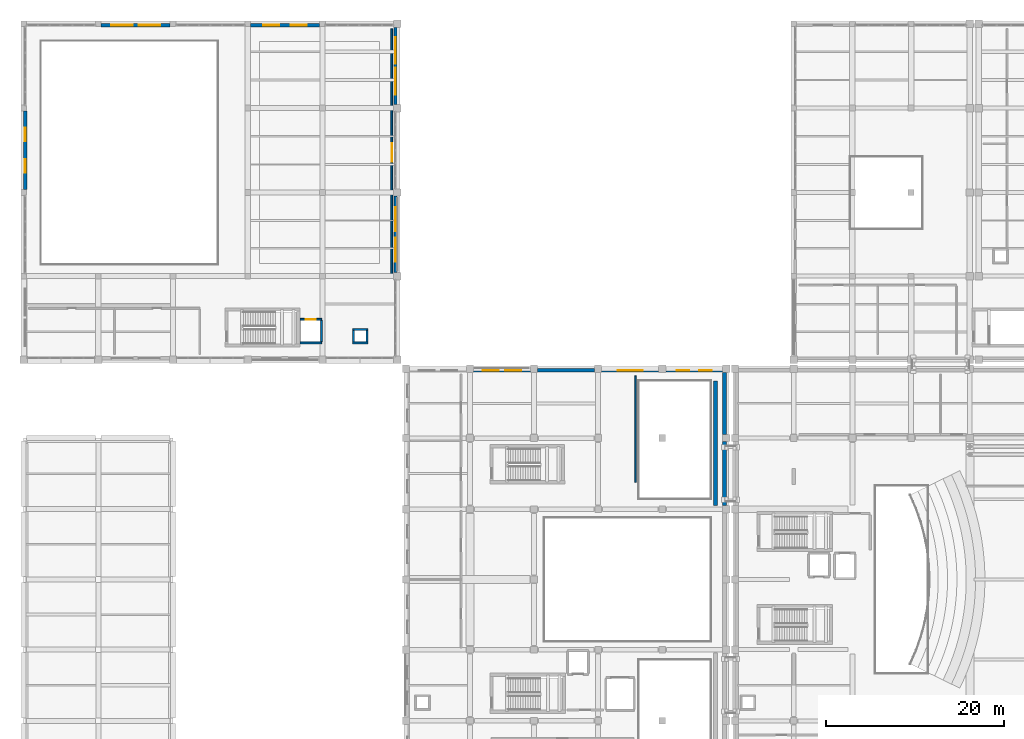
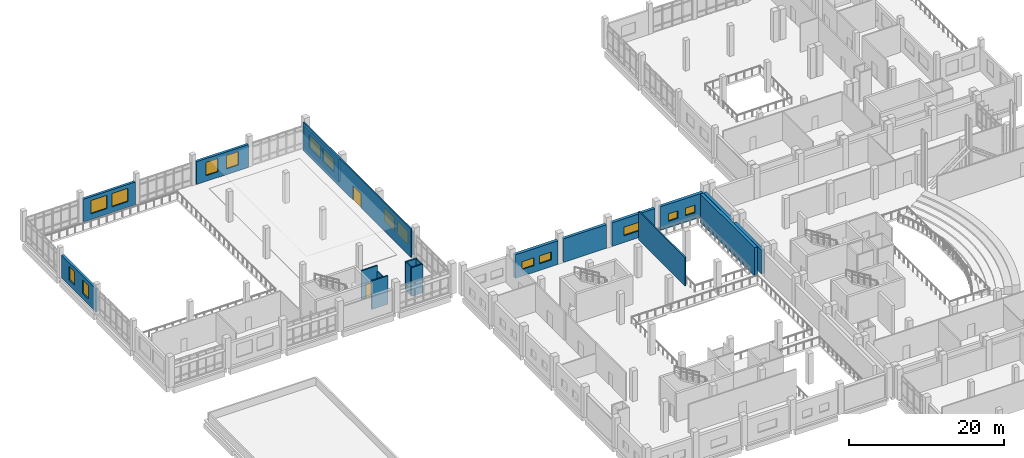
# One storey, part 54 of 73: 21 walls, 15 windows, 2 doors, 17 openings.
"""IFC4 building model written with IfcOpenShell, lengths in metres."""

from ifc_helpers import new_model, si_unit, direction, frame, frame_2d, origin, place, context, subcontext, project, spatial, rectangle, extrude, material, layer, layer_set, type_object, element, fill, save


model = new_model("IFC4")

# Units and contexts
model_context = context("Model", 3, precision=1e-05, world=origin(), true_north=direction((0.0, 1.0)))
body_context = subcontext(model_context, "Body", "Model", "MODEL_VIEW")
ifc_project = project(units=[si_unit("LENGTHUNIT", "METRE"), si_unit("AREAUNIT", "SQUARE_METRE"), si_unit("VOLUMEUNIT", "CUBIC_METRE"), si_unit("PLANEANGLEUNIT", "RADIAN"), si_unit("MASSUNIT", "GRAM", prefix="KILO")], contexts=[model_context])

# Site, building, storey
site_placement = place(None, origin())
site = spatial("IfcSite", under=ifc_project, at=site_placement, CompositionType="ELEMENT")
building_placement = place(site_placement, origin())
building = spatial("IfcBuilding", under=site, at=building_placement, Name="Kelarvand Opera House", CompositionType="ELEMENT")
storey_placement = place(building_placement, frame((0.0, 0.0, 10.199951171875)))
storey = spatial("IfcBuildingStorey", under=building, at=storey_placement, Name="L02", CompositionType="ELEMENT", Elevation=10.199951171875)

# Wall
ifc_material_1 = material(Name="Concrete C40/50", Category="concrete")
ifc_layer_1 = layer(ifc_material_1, 0.449951171875, Name="Concrete C40/50", Category="concrete")
ifc_layer_set_1 = layer_set([ifc_layer_1], Name="Concrete C40/50")
wall_type_1 = type_object("IfcWallType", Name="Acoustic Proscenium Shear Wall 450", PredefinedType="SHEAR", material=ifc_layer_set_1)
wall_1_placement = place(storey_placement, frame((86.800048828125, 70.800048828125, 0.0), z_axis=(0.0, 0.0, 1.0), x_axis=(0.0, 1.0, 0.0)))
element("IfcWall", 1, at=wall_1_placement, inside=storey, type_object=wall_type_1, Name="V2 Shear Wall PW-120 L02", PredefinedType="SHEAR", context=body_context, shape_type="SweptSolid", body=[
    extrude(rectangle(XDim=14.0, YDim=0.449951171875, at=frame_2d((7.0, 0.0))), origin(), (0.0, 0.0, 1.0), 4.47998046875),
])

# Wall, openings, windows
ifc_material_2 = material(Name="Concrete C35/45", Category="concrete")
ifc_layer_2 = layer(ifc_material_2, 0.360107421875, Name="Concrete C35/45", Category="concrete")
ifc_layer_set_2 = layer_set([ifc_layer_2], Name="Concrete C35/45")
wall_type_2 = type_object("IfcWallType", Name="Azarshahr Travertine Cavity Wall 360", PredefinedType="SOLIDWALL", material=ifc_layer_set_2)
wall_2_placement = place(storey_placement, frame((50.820068359375, 124.590087890625, 0.0), z_axis=(0.0, 0.0, 1.0), x_axis=(0.0, -1.0, 0.0)))
wall_2 = element("IfcWall", 2, at=wall_2_placement, inside=storey, type_object=wall_type_2, Name="V3 L02 Exterior Wall EW-360 (414)", PredefinedType="SOLIDWALL", context=body_context, shape_type="SweptSolid", body=[
    extrude(rectangle(XDim=8.68017578125, YDim=0.360107421875, at=frame_2d((4.340087890625, 0.0))), origin(), (0.0, 0.0, 1.0), 3.592041015625),
])
opening_1_placement = place(wall_2_placement, frame((1.10400390625, 0.0, 0.89990234375)))
opening_1 = element("IfcOpeningElement", 3, at=opening_1_placement, cuts=wall_2, Name="Opening WN-09", PredefinedType="OPENING", context=body_context, shape_type="SweptSolid", body=[
    extrude(rectangle(XDim=3.0, YDim=2.10009765625, at=frame_2d((1.5, 1.050048828125))), frame((0.0, 0.18994140625, 0.0), z_axis=(0.0, -1.0, 0.0), x_axis=(1.0, 0.0, 0.0)), (0.0, 0.0, 1.0), 0.380126953125),
])
opening_2_placement = place(wall_2_placement, frame((4.575927734375, 0.0, 0.89990234375)))
opening_2 = element("IfcOpeningElement", 4, at=opening_2_placement, cuts=wall_2, Name="Opening WN-09", PredefinedType="OPENING", context=body_context, shape_type="SweptSolid", body=[
    extrude(rectangle(XDim=3.0, YDim=2.10009765625, at=frame_2d((1.5, 1.050048828125))), frame((0.0, 0.18994140625, 0.0), z_axis=(0.0, -1.0, 0.0), x_axis=(1.0, 0.0, 0.0)), (0.0, 0.0, 1.0), 0.380126953125),
])
ifc_material_3 = material(Name="Thermally broken aluminium and low-E double glazing", Category="aluminium")
window_type_1 = type_object("IfcWindowType", Name="Recessed Aluminium Thermal Window 3000x2100 WN-09", PartitioningType="SINGLE_PANEL", PredefinedType="WINDOW", material=ifc_material_3)
window_1_placement = place(opening_1_placement, origin())
window_1 = element("IfcWindow", 5, at=window_1_placement, inside=storey, type_object=window_type_1, Name="V3 L02 Facade Window WN-09 (172)", OverallHeight=2.10009765625, OverallWidth=3.0, PartitioningType="SINGLE_PANEL", PredefinedType="WINDOW", context=body_context, shape_type="SweptSolid", body=[
    extrude(rectangle(XDim=3.0, YDim=2.10009765625, at=frame_2d((1.5, 1.050048828125))), frame((0.0, 0.030029296875, 0.0), z_axis=(0.0, -1.0, 0.0), x_axis=(1.0, 0.0, 0.0)), (0.0, 0.0, 1.0), 0.06005859375),
])
fill(opening_1, window_1)
window_2_placement = place(opening_2_placement, origin())
window_2 = element("IfcWindow", 6, at=window_2_placement, inside=storey, type_object=window_type_1, Name="V3 L02 Facade Window WN-09 (173)", OverallHeight=2.10009765625, OverallWidth=3.0, PartitioningType="SINGLE_PANEL", PredefinedType="WINDOW", context=body_context, shape_type="SweptSolid", body=[
    extrude(rectangle(XDim=3.0, YDim=2.10009765625, at=frame_2d((1.5, 1.050048828125))), frame((0.0, 0.030029296875, 0.0), z_axis=(0.0, -1.0, 0.0), x_axis=(1.0, 0.0, 0.0)), (0.0, 0.0, 1.0), 0.06005859375),
])
fill(opening_2, window_2)

wall_3_placement = place(storey_placement, frame((50.820068359375, 105.590087890625, 0.0), z_axis=(0.0, 0.0, 1.0), x_axis=(0.0, -1.0, 0.0)))
wall_3 = element("IfcWall", 7, at=wall_3_placement, inside=storey, type_object=wall_type_2, Name="V3 L02 Exterior Wall EW-360 (415)", PredefinedType="SOLIDWALL", context=body_context, shape_type="SweptSolid", body=[
    extrude(rectangle(XDim=8.580078125, YDim=0.360107421875, at=frame_2d((4.2900390625, 0.0))), origin(), (0.0, 0.0, 1.0), 3.592041015625),
])
opening_3_placement = place(wall_3_placement, frame((1.22412109375, 0.0, 0.89990234375)))
opening_3 = element("IfcOpeningElement", 8, at=opening_3_placement, cuts=wall_3, Name="Opening WN-08", PredefinedType="OPENING", context=body_context, shape_type="SweptSolid", body=[
    extrude(rectangle(XDim=2.699951171875, YDim=2.10009765625, at=frame_2d((1.35009765625, 1.050048828125))), frame((0.0, 0.18994140625, 0.0), z_axis=(0.0, -1.0, 0.0), x_axis=(1.0, 0.0, 0.0)), (0.0, 0.0, 1.0), 0.380126953125),
])
opening_4_placement = place(wall_3_placement, frame((4.656005859375, 0.0, 0.89990234375)))
opening_4 = element("IfcOpeningElement", 9, at=opening_4_placement, cuts=wall_3, Name="Opening WN-08", PredefinedType="OPENING", context=body_context, shape_type="SweptSolid", body=[
    extrude(rectangle(XDim=2.699951171875, YDim=2.10009765625, at=frame_2d((1.35009765625, 1.050048828125))), frame((0.0, 0.18994140625, 0.0), z_axis=(0.0, -1.0, 0.0), x_axis=(1.0, 0.0, 0.0)), (0.0, 0.0, 1.0), 0.380126953125),
])
window_type_2 = type_object("IfcWindowType", Name="Recessed Aluminium Thermal Window 2700x2100 WN-08", PartitioningType="SINGLE_PANEL", PredefinedType="WINDOW", material=ifc_material_3)
window_3_placement = place(opening_3_placement, origin())
window_3 = element("IfcWindow", 10, at=window_3_placement, inside=storey, type_object=window_type_2, Name="V3 L02 Facade Window WN-08 (174)", OverallHeight=2.10009765625, OverallWidth=2.699951171875, PartitioningType="SINGLE_PANEL", PredefinedType="WINDOW", context=body_context, shape_type="SweptSolid", body=[
    extrude(rectangle(XDim=2.699951171875, YDim=2.10009765625, at=frame_2d((1.35009765625, 1.050048828125))), frame((0.0, 0.030029296875, 0.0), z_axis=(0.0, -1.0, 0.0), x_axis=(1.0, 0.0, 0.0)), (0.0, 0.0, 1.0), 0.06005859375),
])
fill(opening_3, window_3)
window_4_placement = place(opening_4_placement, origin())
window_4 = element("IfcWindow", 11, at=window_4_placement, inside=storey, type_object=window_type_2, Name="V3 L02 Facade Window WN-08 (175)", OverallHeight=2.10009765625, OverallWidth=2.699951171875, PartitioningType="SINGLE_PANEL", PredefinedType="WINDOW", context=body_context, shape_type="SweptSolid", body=[
    extrude(rectangle(XDim=2.699951171875, YDim=2.10009765625, at=frame_2d((1.35009765625, 1.050048828125))), frame((0.0, 0.030029296875, 0.0), z_axis=(0.0, -1.0, 0.0), x_axis=(1.0, 0.0, 0.0)), (0.0, 0.0, 1.0), 0.06005859375),
])
fill(opening_4, window_4)

wall_4_placement = place(storey_placement, frame((17.72509765625, 124.820068359375, 0.0), z_axis=(0.0, 0.0, 1.0), x_axis=(1.0, 0.0, 0.0)))
wall_4 = element("IfcWall", 12, at=wall_4_placement, inside=storey, type_object=wall_type_2, Name="V3 L02 Exterior Wall EW-360 (416)", PredefinedType="SOLIDWALL", context=body_context, shape_type="SweptSolid", body=[
    extrude(rectangle(XDim=7.75, YDim=0.360107421875, at=frame_2d((3.875, 0.0))), origin(), (0.0, 0.0, 1.0), 3.592041015625),
])
opening_5_placement = place(wall_4_placement, frame((1.125, 0.0, 0.89990234375)))
opening_5 = element("IfcOpeningElement", 13, at=opening_5_placement, cuts=wall_4, Name="Opening WN-07", PredefinedType="OPENING", context=body_context, shape_type="SweptSolid", body=[
    extrude(rectangle(XDim=2.39990234375, YDim=2.10009765625, at=frame_2d((1.199951171875, 1.050048828125))), frame((0.0, 0.18994140625, 0.0), z_axis=(0.0, -1.0, 0.0), x_axis=(1.0, 0.0, 0.0)), (0.0, 0.0, 1.0), 0.380126953125),
])
opening_6_placement = place(wall_4_placement, frame((4.22509765625, 0.0, 0.89990234375)))
opening_6 = element("IfcOpeningElement", 14, at=opening_6_placement, cuts=wall_4, Name="Opening WN-07", PredefinedType="OPENING", context=body_context, shape_type="SweptSolid", body=[
    extrude(rectangle(XDim=2.39990234375, YDim=2.10009765625, at=frame_2d((1.199951171875, 1.050048828125))), frame((0.0, 0.18994140625, 0.0), z_axis=(0.0, -1.0, 0.0), x_axis=(1.0, 0.0, 0.0)), (0.0, 0.0, 1.0), 0.380126953125),
])
window_type_3 = type_object("IfcWindowType", Name="Recessed Aluminium Thermal Window 2400x2100 WN-07", PartitioningType="SINGLE_PANEL", PredefinedType="WINDOW", material=ifc_material_3)
window_5_placement = place(opening_5_placement, origin())
window_5 = element("IfcWindow", 15, at=window_5_placement, inside=storey, type_object=window_type_3, Name="V3 L02 Facade Window WN-07 (176)", OverallHeight=2.10009765625, OverallWidth=2.39990234375, PartitioningType="SINGLE_PANEL", PredefinedType="WINDOW", context=body_context, shape_type="SweptSolid", body=[
    extrude(rectangle(XDim=2.39990234375, YDim=2.10009765625, at=frame_2d((1.199951171875, 1.050048828125))), frame((0.0, 0.030029296875, 0.0), z_axis=(0.0, -1.0, 0.0), x_axis=(1.0, 0.0, 0.0)), (0.0, 0.0, 1.0), 0.06005859375),
])
fill(opening_5, window_5)
window_6_placement = place(opening_6_placement, origin())
window_6 = element("IfcWindow", 16, at=window_6_placement, inside=storey, type_object=window_type_3, Name="V3 L02 Facade Window WN-07 (177)", OverallHeight=2.10009765625, OverallWidth=2.39990234375, PartitioningType="SINGLE_PANEL", PredefinedType="WINDOW", context=body_context, shape_type="SweptSolid", body=[
    extrude(rectangle(XDim=2.39990234375, YDim=2.10009765625, at=frame_2d((1.199951171875, 1.050048828125))), frame((0.0, 0.030029296875, 0.0), z_axis=(0.0, -1.0, 0.0), x_axis=(1.0, 0.0, 0.0)), (0.0, 0.0, 1.0), 0.06005859375),
])
fill(opening_6, window_6)

wall_5_placement = place(storey_placement, frame((34.52490234375, 124.820068359375, 0.0), z_axis=(0.0, 0.0, 1.0), x_axis=(1.0, 0.0, 0.0)))
wall_5 = element("IfcWall", 17, at=wall_5_placement, inside=storey, type_object=wall_type_2, Name="V3 L02 Exterior Wall EW-360 (417)", PredefinedType="SOLIDWALL", context=body_context, shape_type="SweptSolid", body=[
    extrude(rectangle(XDim=7.75, YDim=0.360107421875, at=frame_2d((3.875, 0.0))), origin(), (0.0, 0.0, 1.0), 3.592041015625),
])
opening_7_placement = place(wall_5_placement, frame((1.425048828125, 0.0, 0.89990234375)))
opening_7 = element("IfcOpeningElement", 18, at=opening_7_placement, cuts=wall_5, Name="Opening WN-05", PredefinedType="OPENING", context=body_context, shape_type="SweptSolid", body=[
    extrude(rectangle(XDim=1.800048828125, YDim=2.10009765625, at=frame_2d((0.89990234375, 1.050048828125))), frame((0.0, 0.18994140625, 0.0), z_axis=(0.0, -1.0, 0.0), x_axis=(1.0, 0.0, 0.0)), (0.0, 0.0, 1.0), 0.380126953125),
])
opening_8_placement = place(wall_5_placement, frame((4.52490234375, 0.0, 0.89990234375)))
opening_8 = element("IfcOpeningElement", 19, at=opening_8_placement, cuts=wall_5, Name="Opening WN-05", PredefinedType="OPENING", context=body_context, shape_type="SweptSolid", body=[
    extrude(rectangle(XDim=1.800048828125, YDim=2.10009765625, at=frame_2d((0.89990234375, 1.050048828125))), frame((0.0, 0.18994140625, 0.0), z_axis=(0.0, -1.0, 0.0), x_axis=(1.0, 0.0, 0.0)), (0.0, 0.0, 1.0), 0.380126953125),
])
window_type_4 = type_object("IfcWindowType", Name="Recessed Aluminium Thermal Window 1800x2100 WN-05", PartitioningType="SINGLE_PANEL", PredefinedType="WINDOW", material=ifc_material_3)
window_7_placement = place(opening_7_placement, origin())
window_7 = element("IfcWindow", 20, at=window_7_placement, inside=storey, type_object=window_type_4, Name="V3 L02 Facade Window WN-05 (178)", OverallHeight=2.10009765625, OverallWidth=1.800048828125, PartitioningType="SINGLE_PANEL", PredefinedType="WINDOW", context=body_context, shape_type="SweptSolid", body=[
    extrude(rectangle(XDim=1.800048828125, YDim=2.10009765625, at=frame_2d((0.89990234375, 1.050048828125))), frame((0.0, 0.030029296875, 0.0), z_axis=(0.0, -1.0, 0.0), x_axis=(1.0, 0.0, 0.0)), (0.0, 0.0, 1.0), 0.06005859375),
])
fill(opening_7, window_7)
window_8_placement = place(opening_8_placement, origin())
window_8 = element("IfcWindow", 21, at=window_8_placement, inside=storey, type_object=window_type_4, Name="V3 L02 Facade Window WN-05 (179)", OverallHeight=2.10009765625, OverallWidth=1.800048828125, PartitioningType="SINGLE_PANEL", PredefinedType="WINDOW", context=body_context, shape_type="SweptSolid", body=[
    extrude(rectangle(XDim=1.800048828125, YDim=2.10009765625, at=frame_2d((0.89990234375, 1.050048828125))), frame((0.0, 0.030029296875, 0.0), z_axis=(0.0, -1.0, 0.0), x_axis=(1.0, 0.0, 0.0)), (0.0, 0.0, 1.0), 0.06005859375),
])
fill(opening_8, window_8)

wall_6_placement = place(storey_placement, frame((9.179931640625, 106.324951171875, 0.0), z_axis=(0.0, 0.0, 1.0), x_axis=(0.0, 1.0, 0.0)))
wall_6 = element("IfcWall", 22, at=wall_6_placement, inside=storey, type_object=wall_type_2, Name="V3 L02 Exterior Wall EW-360 (419)", PredefinedType="SOLIDWALL", context=body_context, shape_type="SweptSolid", body=[
    extrude(rectangle(XDim=8.85009765625, YDim=0.360107421875, at=frame_2d((4.425048828125, 0.0))), origin(), (0.0, 0.0, 1.0), 3.592041015625),
])
opening_9_placement = place(wall_6_placement, frame((1.905029296875, 0.0, 0.89990234375)))
opening_9 = element("IfcOpeningElement", 23, at=opening_9_placement, cuts=wall_6, Name="Opening WN-04", PredefinedType="OPENING", context=body_context, shape_type="SweptSolid", body=[
    extrude(rectangle(XDim=1.5, YDim=2.10009765625, at=frame_2d((0.75, 1.050048828125))), frame((0.0, 0.18994140625, 0.0), z_axis=(0.0, -1.0, 0.0), x_axis=(1.0, 0.0, 0.0)), (0.0, 0.0, 1.0), 0.380126953125),
])
opening_10_placement = place(wall_6_placement, frame((5.445068359375, 0.0, 0.89990234375)))
opening_10 = element("IfcOpeningElement", 24, at=opening_10_placement, cuts=wall_6, Name="Opening WN-04", PredefinedType="OPENING", context=body_context, shape_type="SweptSolid", body=[
    extrude(rectangle(XDim=1.5, YDim=2.10009765625, at=frame_2d((0.75, 1.050048828125))), frame((0.0, 0.18994140625, 0.0), z_axis=(0.0, -1.0, 0.0), x_axis=(1.0, 0.0, 0.0)), (0.0, 0.0, 1.0), 0.380126953125),
])
window_type_5 = type_object("IfcWindowType", Name="Recessed Aluminium Thermal Window 1500x2100 WN-04", PartitioningType="SINGLE_PANEL", PredefinedType="WINDOW", material=ifc_material_3)
window_9_placement = place(opening_9_placement, origin())
window_9 = element("IfcWindow", 25, at=window_9_placement, inside=storey, type_object=window_type_5, Name="V3 L02 Facade Window WN-04 (182)", OverallHeight=2.10009765625, OverallWidth=1.5, PartitioningType="SINGLE_PANEL", PredefinedType="WINDOW", context=body_context, shape_type="SweptSolid", body=[
    extrude(rectangle(XDim=1.5, YDim=2.10009765625, at=frame_2d((0.75, 1.050048828125))), frame((0.0, 0.030029296875, 0.0), z_axis=(0.0, -1.0, 0.0), x_axis=(1.0, 0.0, 0.0)), (0.0, 0.0, 1.0), 0.06005859375),
])
fill(opening_9, window_9)
window_10_placement = place(opening_10_placement, origin())
window_10 = element("IfcWindow", 26, at=window_10_placement, inside=storey, type_object=window_type_5, Name="V3 L02 Facade Window WN-04 (183)", OverallHeight=2.10009765625, OverallWidth=1.5, PartitioningType="SINGLE_PANEL", PredefinedType="WINDOW", context=body_context, shape_type="SweptSolid", body=[
    extrude(rectangle(XDim=1.5, YDim=2.10009765625, at=frame_2d((0.75, 1.050048828125))), frame((0.0, 0.030029296875, 0.0), z_axis=(0.0, -1.0, 0.0), x_axis=(1.0, 0.0, 0.0)), (0.0, 0.0, 1.0), 0.06005859375),
])
fill(opening_10, window_10)

# Wall
ifc_layer_3 = layer(ifc_material_2, 0.179931640625, Name="Concrete C35/45", Category="concrete")
ifc_layer_set_3 = layer_set([ifc_layer_3], Name="Concrete C35/45")
wall_type_3 = type_object("IfcWallType", Name="Corridor Fire-Rated Partition Wall 180 EI90", PredefinedType="PARTITIONING", material=ifc_layer_set_3)
wall_7_placement = place(storey_placement, frame((77.800048828125, 73.39990234375, 0.0), z_axis=(0.0, 0.0, 1.0), x_axis=(0.0, 1.0, 0.0)))
element("IfcWall", 27, at=wall_7_placement, inside=storey, type_object=wall_type_3, Name="V2 L02 Partition Wall IW-90 (498)", PredefinedType="PARTITIONING", context=body_context, shape_type="SweptSolid", body=[
    extrude(rectangle(XDim=12.0, YDim=0.179931640625, at=frame_2d((6.0, 0.0))), origin(), (0.0, 0.0, 1.0), 4.491943359375),
])

# Wall, opening, door
wall_8_placement = place(storey_placement, frame((50.39990234375, 96.60009765625, 0.0), z_axis=(0.0, 0.0, 1.0), x_axis=(0.0, 1.0, 0.0)))
wall_8 = element("IfcWall", 28, at=wall_8_placement, inside=storey, type_object=wall_type_3, Name="V3 L02 Partition Wall IW-90 (499)", PredefinedType="PARTITIONING", context=body_context, shape_type="SweptSolid", body=[
    extrude(rectangle(XDim=27.7998046875, YDim=0.179931640625, at=frame_2d((13.89990234375, 0.0))), origin(), (0.0, 0.0, 1.0), 4.491943359375),
])
opening_11_placement = place(wall_8_placement, frame((12.85009765625, 0.0, 0.0)))
opening_11 = element("IfcOpeningElement", 29, at=opening_11_placement, cuts=wall_8, Name="Opening D-08", PredefinedType="OPENING", context=body_context, shape_type="SweptSolid", body=[
    extrude(rectangle(XDim=2.10009765625, YDim=2.25, at=frame_2d((1.050048828125, 1.125))), frame((0.0, 0.10009765625, 0.0), z_axis=(0.0, -1.0, 0.0), x_axis=(1.0, 0.0, 0.0)), (0.0, 0.0, 1.0), 0.199951171875),
])
ifc_material_4 = material(Name="Acoustic walnut-veneered hardwood", Category="wood")
door_type_1 = type_object("IfcDoorType", Name="Foyer Intermission Double Glazed Door 2100x2250", OperationType="NOTDEFINED", PredefinedType="DOOR", material=ifc_material_4)
door_1_placement = place(opening_11_placement, origin())
door_1 = element("IfcDoor", 30, at=door_1_placement, inside=storey, type_object=door_type_1, Name="V3 L02 Door D-08 (221)", OperationType="DOUBLE_DOOR_SINGLE_SWING", OverallHeight=2.25, OverallWidth=2.10009765625, PredefinedType="DOOR", context=body_context, shape_type="SweptSolid", body=[
    extrude(rectangle(XDim=2.10009765625, YDim=2.25, at=frame_2d((1.050048828125, 1.125))), frame((0.0, 0.02490234375, 0.0), z_axis=(0.0, -1.0, 0.0), x_axis=(1.0, 0.0, 0.0)), (0.0, 0.0, 1.0), 0.050048828125),
])
fill(opening_11, door_1)

# Walls
ifc_layer_4 = layer(ifc_material_2, 0.199951171875, Name="Concrete C35/45", Category="concrete")
ifc_layer_set_4 = layer_set([ifc_layer_4], Name="Concrete C35/45")
wall_type_4 = type_object("IfcWallType", Name="Lift and Riser Shaft Enclosure Wall 200 EI120", PredefinedType="PARTITIONING", material=ifc_layer_set_4)
for number, where, z_axis, x_axis, name in (
    (31, (46.0, 89.10009765625, 0.0), (0.0, 0.0, 1.0), (1.0, 0.0, 0.0), "RSR-V3 L02 Riser Shaft Wall 61"),
    (32, (47.699951171875, 90.60009765625, 0.0), (0.0, 0.0, 1.0), (-1.0, 0.0, 0.0), "RSR-V3 L02 Riser Shaft Wall 62"),
):
    element("IfcWall", number, at=place(storey_placement, frame(where, z_axis=z_axis, x_axis=x_axis)), inside=storey, type_object=wall_type_4, Name=name, PredefinedType="PARTITIONING", context=body_context, shape_type="SweptSolid", body=[
        extrude(rectangle(XDim=1.699951171875, YDim=0.199951171875, at=frame_2d((0.85009765625, 0.0))), origin(), (0.0, 0.0, 1.0), 4.5),
    ])
for number, where, z_axis, x_axis, name in (
    (33, (46.10009765625, 89.199951171875, 0.0), (0.0, 0.0, 1.0), (0.0, 1.0, 0.0), "RSR-V3 L02 Riser Shaft Wall 63"),
    (34, (47.60009765625, 90.5, 0.0), (0.0, 0.0, 1.0), (0.0, -1.0, 0.0), "RSR-V3 L02 Riser Shaft Wall 64"),
):
    element("IfcWall", number, at=place(storey_placement, frame(where, z_axis=z_axis, x_axis=x_axis)), inside=storey, type_object=wall_type_4, Name=name, PredefinedType="PARTITIONING", context=body_context, shape_type="SweptSolid", body=[
        extrude(rectangle(XDim=1.300048828125, YDim=0.199951171875, at=frame_2d((0.64990234375, 0.0))), origin(), (0.0, 0.0, 1.0), 4.5),
    ])
wall_9_placement = place(storey_placement, frame((40.10009765625, 89.10009765625, 0.0), z_axis=(0.0, 0.0, 1.0), x_axis=(1.0, 0.0, 0.0)))
element("IfcWall", 35, at=wall_9_placement, inside=storey, type_object=wall_type_4, Name="V3 L02 Partition Wall SW-200 (459)", PredefinedType="PARTITIONING", context=body_context, shape_type="SweptSolid", body=[
    extrude(rectangle(XDim=2.39990234375, YDim=0.199951171875, at=frame_2d((1.199951171875, 0.0))), origin(), (0.0, 0.0, 1.0), 4.491943359375),
])

# Wall, opening, door
wall_10_placement = place(storey_placement, frame((42.5, 91.75, 0.0), z_axis=(0.0, 0.0, 1.0), x_axis=(-1.0, 0.0, 0.0)))
wall_10 = element("IfcWall", 36, at=wall_10_placement, inside=storey, type_object=wall_type_4, Name="V3 L02 Partition Wall SW-200 (460)", PredefinedType="PARTITIONING", context=body_context, shape_type="SweptSolid", body=[
    extrude(rectangle(XDim=2.39990234375, YDim=0.199951171875, at=frame_2d((1.199951171875, 0.0))), origin(), (0.0, 0.0, 1.0), 4.491943359375),
])
opening_12_placement = place(wall_10_placement, frame((0.64990234375, 0.0, 0.0)))
opening_12 = element("IfcOpeningElement", 37, at=opening_12_placement, cuts=wall_10, Name="Opening LD-01", PredefinedType="OPENING", context=body_context, shape_type="SweptSolid", body=[
    extrude(rectangle(XDim=1.10009765625, YDim=2.14990234375, at=frame_2d((0.550048828125, 1.074951171875))), frame((0.0, 0.10986328125, 0.0), z_axis=(0.0, -1.0, 0.0), x_axis=(1.0, 0.0, 0.0)), (0.0, 0.0, 1.0), 0.219970703125),
])
ifc_material_5 = material(Name="Fire-rated brushed stainless steel", Category="steel")
door_type_2 = type_object("IfcDoorType", Name="Passenger Lift Sliding Landing Door 1100x2150", OperationType="SLIDING_TO_LEFT", PredefinedType="DOOR", material=ifc_material_5)
door_2_placement = place(opening_12_placement, origin())
door_2 = element("IfcDoor", 38, at=door_2_placement, inside=storey, type_object=door_type_2, Name="V3 L02 Door LD-01 (204)", OperationType="SLIDING_TO_LEFT", OverallHeight=2.14990234375, OverallWidth=1.10009765625, PredefinedType="DOOR", context=body_context, shape_type="SweptSolid", body=[
    extrude(rectangle(XDim=1.10009765625, YDim=2.14990234375, at=frame_2d((0.550048828125, 1.074951171875))), frame((0.0, 0.02490234375, 0.0), z_axis=(0.0, -1.0, 0.0), x_axis=(1.0, 0.0, 0.0)), (0.0, 0.0, 1.0), 0.050048828125),
])
fill(opening_12, door_2)

# Walls
wall_11_placement = place(storey_placement, frame((42.5, 91.64990234375, 0.0), z_axis=(0.0, 0.0, 1.0), x_axis=(0.0, -1.0, 0.0)))
element("IfcWall", 39, at=wall_11_placement, inside=storey, type_object=wall_type_4, Name="V3 L02 Partition Wall SW-200 (461)", PredefinedType="PARTITIONING", context=body_context, shape_type="SweptSolid", body=[
    extrude(rectangle(XDim=2.449951171875, YDim=0.199951171875, at=frame_2d((1.22509765625, 0.0))), origin(), (0.0, 0.0, 1.0), 3.592041015625),
])
ifc_layer_5 = layer(ifc_material_2, 0.43994140625, Name="Concrete C35/45", Category="concrete")
ifc_layer_set_5 = layer_set([ifc_layer_5], Name="Concrete C35/45")
wall_type_5 = type_object("IfcWallType", Name="Stage House Acoustic Cavity Wall 440", PredefinedType="SOLIDWALL", material=ifc_layer_set_5)
wall_12_placement = place(storey_placement, frame((87.820068359375, 85.7900390625, 0.0), z_axis=(0.0, 0.0, 1.0), x_axis=(0.0, -1.0, 0.0)))
element("IfcWall", 40, at=wall_12_placement, inside=storey, type_object=wall_type_5, Name="V2 L02 Exterior Wall EW-440 (258)", PredefinedType="SOLIDWALL", context=body_context, shape_type="SweptSolid", body=[
    extrude(rectangle(XDim=6.97998046875, YDim=0.43994140625, at=frame_2d((3.489990234375, 0.0))), origin(), (0.0, 0.0, 1.0), 3.72216796875),
])
wall_13_placement = place(storey_placement, frame((87.820068359375, 77.989990234375, 0.0), z_axis=(0.0, 0.0, 1.0), x_axis=(0.0, -1.0, 0.0)))
element("IfcWall", 41, at=wall_13_placement, inside=storey, type_object=wall_type_5, Name="V2 L02 Exterior Wall EW-440 (259)", PredefinedType="SOLIDWALL", context=body_context, shape_type="SweptSolid", body=[
    extrude(rectangle(XDim=7.179931640625, YDim=0.43994140625, at=frame_2d((3.58984375, 0.0))), origin(), (0.0, 0.0, 1.0), 3.72216796875),
])

# Wall, openings, windows
wall_14_placement = place(storey_placement, frame((59.610107421875, 86.02001953125, 0.0), z_axis=(0.0, 0.0, 1.0), x_axis=(1.0, 0.0, 0.0)))
wall_14 = element("IfcWall", 42, at=wall_14_placement, inside=storey, type_object=wall_type_5, Name="V2 L02 Exterior Wall EW-440 (265)", PredefinedType="SOLIDWALL", context=body_context, shape_type="SweptSolid", body=[
    extrude(rectangle(XDim=6.3798828125, YDim=0.43994140625, at=frame_2d((3.18994140625, 0.0))), origin(), (0.0, 0.0, 1.0), 3.72216796875),
])
opening_13_placement = place(wall_14_placement, frame((1.013916015625, 0.0, 1.050048828125)))
opening_13 = element("IfcOpeningElement", 43, at=opening_13_placement, cuts=wall_14, Name="Opening WN-23", PredefinedType="OPENING", context=body_context, shape_type="SweptSolid", body=[
    extrude(rectangle(XDim=1.800048828125, YDim=1.25, at=frame_2d((0.89990234375, 0.625))), frame((0.0, 0.22998046875, 0.0), z_axis=(0.0, -1.0, 0.0), x_axis=(1.0, 0.0, 0.0)), (0.0, 0.0, 1.0), 0.4599609375),
])
opening_14_placement = place(wall_14_placement, frame((3.56591796875, 0.0, 1.050048828125)))
opening_14 = element("IfcOpeningElement", 44, at=opening_14_placement, cuts=wall_14, Name="Opening WN-23", PredefinedType="OPENING", context=body_context, shape_type="SweptSolid", body=[
    extrude(rectangle(XDim=1.800048828125, YDim=1.25, at=frame_2d((0.89990234375, 0.625))), frame((0.0, 0.22998046875, 0.0), z_axis=(0.0, -1.0, 0.0), x_axis=(1.0, 0.0, 0.0)), (0.0, 0.0, 1.0), 0.4599609375),
])
window_type_6 = type_object("IfcWindowType", Name="Recessed Aluminium Thermal Window 1800x1250 WN-23", PartitioningType="SINGLE_PANEL", PredefinedType="WINDOW", material=ifc_material_3)
window_11_placement = place(opening_13_placement, origin())
window_11 = element("IfcWindow", 45, at=window_11_placement, inside=storey, type_object=window_type_6, Name="V2 L02 Facade Window WN-23 (40)", OverallHeight=1.25, OverallWidth=1.800048828125, PartitioningType="SINGLE_PANEL", PredefinedType="WINDOW", context=body_context, shape_type="SweptSolid", body=[
    extrude(rectangle(XDim=1.800048828125, YDim=1.25, at=frame_2d((0.89990234375, 0.625))), frame((0.0, 0.030029296875, 0.0), z_axis=(0.0, -1.0, 0.0), x_axis=(1.0, 0.0, 0.0)), (0.0, 0.0, 1.0), 0.06005859375),
])
fill(opening_13, window_11)
window_12_placement = place(opening_14_placement, origin())
window_12 = element("IfcWindow", 46, at=window_12_placement, inside=storey, type_object=window_type_6, Name="V2 L02 Facade Window WN-23 (41)", OverallHeight=1.25, OverallWidth=1.800048828125, PartitioningType="SINGLE_PANEL", PredefinedType="WINDOW", context=body_context, shape_type="SweptSolid", body=[
    extrude(rectangle(XDim=1.800048828125, YDim=1.25, at=frame_2d((0.89990234375, 0.625))), frame((0.0, 0.030029296875, 0.0), z_axis=(0.0, -1.0, 0.0), x_axis=(1.0, 0.0, 0.0)), (0.0, 0.0, 1.0), 0.06005859375),
])
fill(opening_14, window_12)

# Wall
wall_15_placement = place(storey_placement, frame((66.81005859375, 86.02001953125, 0.0), z_axis=(0.0, 0.0, 1.0), x_axis=(1.0, 0.0, 0.0)))
element("IfcWall", 47, at=wall_15_placement, inside=storey, type_object=wall_type_5, Name="V2 L02 Exterior Wall EW-440 (266)", PredefinedType="SOLIDWALL", context=body_context, shape_type="SweptSolid", body=[
    extrude(rectangle(XDim=6.3798828125, YDim=0.43994140625, at=frame_2d((3.18994140625, 0.0))), origin(), (0.0, 0.0, 1.0), 3.72216796875),
])

# Wall, opening, window
wall_16_placement = place(storey_placement, frame((74.010009765625, 86.02001953125, 0.0), z_axis=(0.0, 0.0, 1.0), x_axis=(1.0, 0.0, 0.0)))
wall_16 = element("IfcWall", 48, at=wall_16_placement, inside=storey, type_object=wall_type_5, Name="V2 L02 Exterior Wall EW-440 (267)", PredefinedType="SOLIDWALL", context=body_context, shape_type="SweptSolid", body=[
    extrude(rectangle(XDim=6.3798828125, YDim=0.43994140625, at=frame_2d((3.18994140625, 0.0))), origin(), (0.0, 0.0, 1.0), 3.72216796875),
])
opening_15_placement = place(wall_16_placement, frame((1.7900390625, 0.0, 1.050048828125)))
opening_15 = element("IfcOpeningElement", 49, at=opening_15_placement, cuts=wall_16, Name="Opening WN-21", PredefinedType="OPENING", context=body_context, shape_type="SweptSolid", body=[
    extrude(rectangle(XDim=2.800048828125, YDim=1.35009765625, at=frame_2d((1.39990234375, 0.675048828125))), frame((0.0, 0.22998046875, 0.0), z_axis=(0.0, -1.0, 0.0), x_axis=(1.0, 0.0, 0.0)), (0.0, 0.0, 1.0), 0.4599609375),
])
window_type_7 = type_object("IfcWindowType", Name="Recessed Aluminium Thermal Window 2800x1350 WN-21", PartitioningType="SINGLE_PANEL", PredefinedType="WINDOW", material=ifc_material_3)
window_13_placement = place(opening_15_placement, origin())
window_13 = element("IfcWindow", 50, at=window_13_placement, inside=storey, type_object=window_type_7, Name="V2 L02 Facade Window WN-21 (42)", OverallHeight=1.35009765625, OverallWidth=2.800048828125, PartitioningType="SINGLE_PANEL", PredefinedType="WINDOW", context=body_context, shape_type="SweptSolid", body=[
    extrude(rectangle(XDim=2.800048828125, YDim=1.35009765625, at=frame_2d((1.39990234375, 0.675048828125))), frame((0.0, 0.030029296875, 0.0), z_axis=(0.0, -1.0, 0.0), x_axis=(1.0, 0.0, 0.0)), (0.0, 0.0, 1.0), 0.06005859375),
])
fill(opening_15, window_13)

# Wall, openings, windows
wall_17_placement = place(storey_placement, frame((81.2099609375, 86.02001953125, 0.0), z_axis=(0.0, 0.0, 1.0), x_axis=(1.0, 0.0, 0.0)))
wall_17 = element("IfcWall", 51, at=wall_17_placement, inside=storey, type_object=wall_type_5, Name="V2 L02 Exterior Wall EW-440 (268)", PredefinedType="SOLIDWALL", context=body_context, shape_type="SweptSolid", body=[
    extrude(rectangle(XDim=6.380126953125, YDim=0.43994140625, at=frame_2d((3.18994140625, 0.0))), origin(), (0.0, 0.0, 1.0), 3.72216796875),
])
opening_16_placement = place(wall_17_placement, frame((1.214111328125, 0.0, 1.0)))
opening_16 = element("IfcOpeningElement", 52, at=opening_16_placement, cuts=wall_17, Name="Opening WN-24", PredefinedType="OPENING", context=body_context, shape_type="SweptSolid", body=[
    extrude(rectangle(XDim=1.39990234375, YDim=1.199951171875, at=frame_2d((0.699951171875, 0.60009765625))), frame((0.0, 0.22998046875, 0.0), z_axis=(0.0, -1.0, 0.0), x_axis=(1.0, 0.0, 0.0)), (0.0, 0.0, 1.0), 0.4599609375),
])
opening_17_placement = place(wall_17_placement, frame((3.76611328125, 0.0, 1.0)))
opening_17 = element("IfcOpeningElement", 53, at=opening_17_placement, cuts=wall_17, Name="Opening WN-24", PredefinedType="OPENING", context=body_context, shape_type="SweptSolid", body=[
    extrude(rectangle(XDim=1.39990234375, YDim=1.199951171875, at=frame_2d((0.699951171875, 0.60009765625))), frame((0.0, 0.22998046875, 0.0), z_axis=(0.0, -1.0, 0.0), x_axis=(1.0, 0.0, 0.0)), (0.0, 0.0, 1.0), 0.4599609375),
])
window_type_8 = type_object("IfcWindowType", Name="Recessed Aluminium Thermal Window 1400x1200 WN-24", PartitioningType="SINGLE_PANEL", PredefinedType="WINDOW", material=ifc_material_3)
window_14_placement = place(opening_16_placement, origin())
window_14 = element("IfcWindow", 54, at=window_14_placement, inside=storey, type_object=window_type_8, Name="V2 L02 Facade Window WN-24 (43)", OverallHeight=1.199951171875, OverallWidth=1.39990234375, PartitioningType="SINGLE_PANEL", PredefinedType="WINDOW", context=body_context, shape_type="SweptSolid", body=[
    extrude(rectangle(XDim=1.39990234375, YDim=1.199951171875, at=frame_2d((0.699951171875, 0.60009765625))), frame((0.0, 0.030029296875, 0.0), z_axis=(0.0, -1.0, 0.0), x_axis=(1.0, 0.0, 0.0)), (0.0, 0.0, 1.0), 0.06005859375),
])
fill(opening_16, window_14)
window_15_placement = place(opening_17_placement, origin())
window_15 = element("IfcWindow", 55, at=window_15_placement, inside=storey, type_object=window_type_8, Name="V2 L02 Facade Window WN-24 (44)", OverallHeight=1.199951171875, OverallWidth=1.39990234375, PartitioningType="SINGLE_PANEL", PredefinedType="WINDOW", context=body_context, shape_type="SweptSolid", body=[
    extrude(rectangle(XDim=1.39990234375, YDim=1.199951171875, at=frame_2d((0.699951171875, 0.60009765625))), frame((0.0, 0.030029296875, 0.0), z_axis=(0.0, -1.0, 0.0), x_axis=(1.0, 0.0, 0.0)), (0.0, 0.0, 1.0), 0.06005859375),
])
fill(opening_17, window_15)

save(model, "model.ifc")
